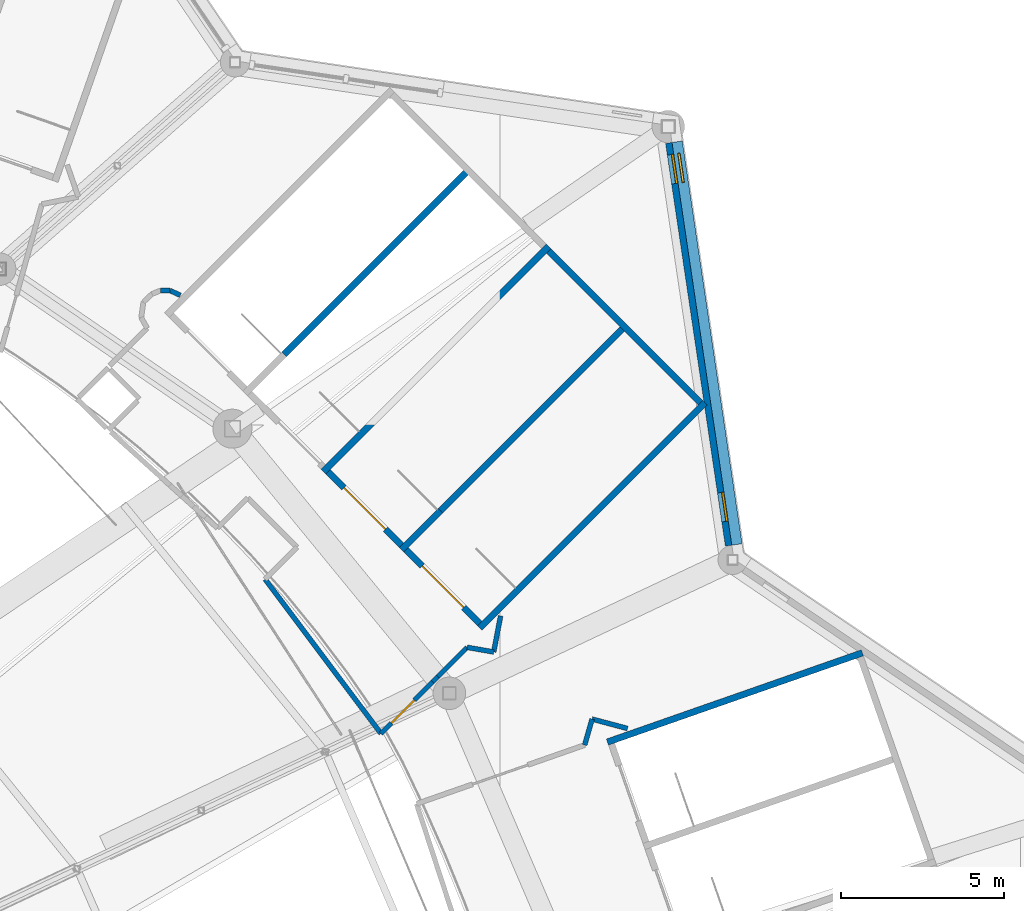
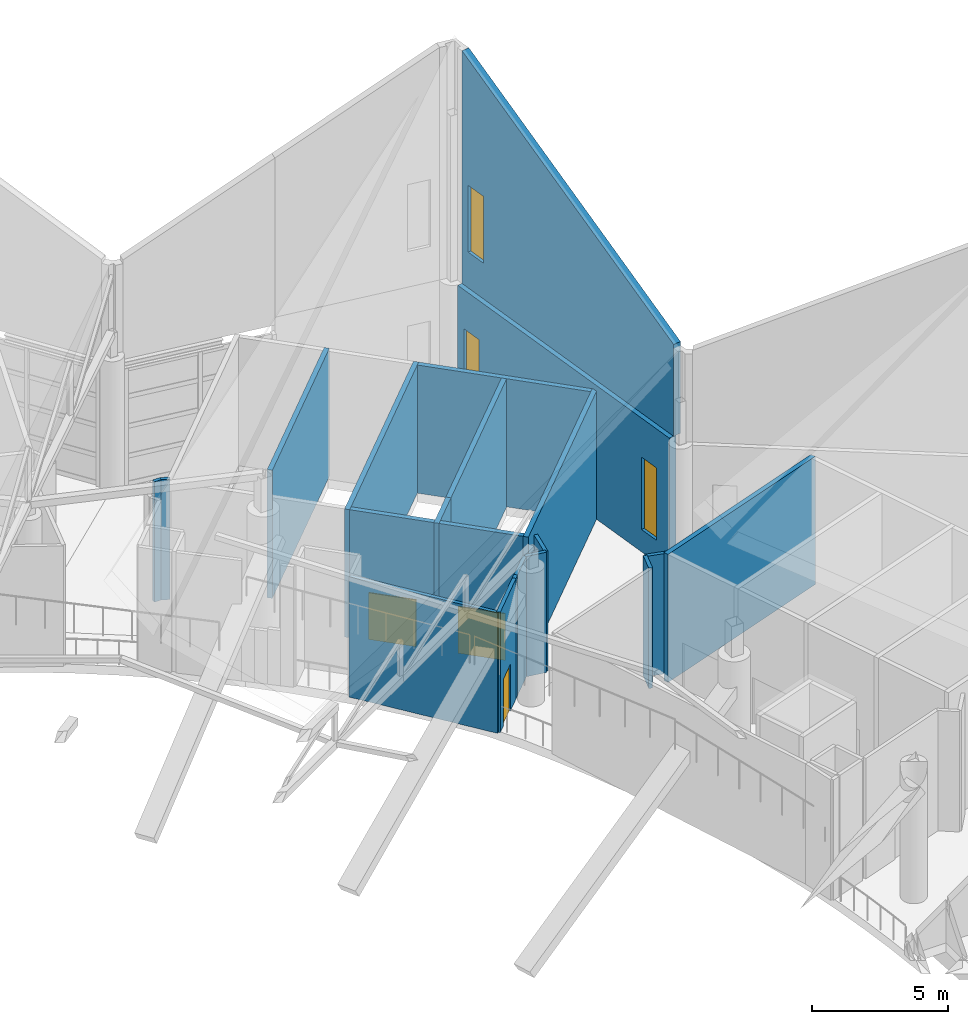
# One storey, part 271 of 344: 21 walls, 3 doors, 3 windows, 6 openings.
"""IFC4 building model written with IfcOpenShell, lengths in metres."""

from ifc_helpers import new_model, si_unit, direction, frame, frame_2d, origin, place, context, subcontext, project, spatial, polyline, rectangle, outline, extrude, material, layer, layer_set, type_object, element, fill, save


model = new_model("IFC4")

# Units and contexts
model_context = context("Model", 3, precision=1e-05, world=origin(), true_north=direction((0.0, 1.0)))
body_context = subcontext(model_context, "Body", "Model", "MODEL_VIEW")
ifc_project = project(units=[si_unit("LENGTHUNIT", "METRE"), si_unit("AREAUNIT", "SQUARE_METRE"), si_unit("VOLUMEUNIT", "CUBIC_METRE"), si_unit("PLANEANGLEUNIT", "RADIAN"), si_unit("MASSUNIT", "GRAM", prefix="KILO")], contexts=[model_context])

# Site, building, storey
site_placement = place(None, origin())
site = spatial("IfcSite", under=ifc_project, at=site_placement, CompositionType="ELEMENT")
building_placement = place(site_placement, origin())
building = spatial("IfcBuilding", under=site, at=building_placement, Name="Meseta Stadium", CompositionType="ELEMENT")
storey_placement = place(building_placement, frame((0.0, 0.0, 24.0)))
storey = spatial("IfcBuildingStorey", under=building, at=storey_placement, Name="L04", CompositionType="ELEMENT", Elevation=24.0)

# Walls
ifc_material_1 = material(Name="Concrete C40/50", Category="concrete")
ifc_layer_1 = layer(ifc_material_1, 0.199951171875)
ifc_layer_set_1 = layer_set([ifc_layer_1], Name="Core divider wall 200")
wall_type_1 = type_object("IfcWallType", Name="Core divider wall 200", PredefinedType="SHEAR", material=ifc_layer_set_1)
wall_1_placement = place(storey_placement, frame((83.90087890625, 83.092529296875, 0.0), z_axis=(0.0, 0.0, 1.0), x_axis=(-0.707106781187, -0.707106781187, 0.0)))
element("IfcWall", 1, at=wall_1_placement, inside=storey, type_object=wall_type_1, Name="Core 07 L04 stair A divider wall", PredefinedType="SHEAR", context=body_context, shape_type="SweptSolid", body=[
    extrude(rectangle(XDim=8.099853515625, YDim=0.199951171875, at=frame_2d((4.0498046875, 0.0))), origin(), (0.0, 0.0, 1.0), 5.75),
])
wall_2_placement = place(storey_placement, frame((78.17333984375, 77.364990234375, 0.0), z_axis=(0.0, 0.0, 1.0), x_axis=(-0.707178586901, -0.707034968179, 0.0)))
element("IfcWall", 2, at=wall_2_placement, inside=storey, type_object=wall_type_1, Name="Core 07 L04 stair A divider wall", PredefinedType="SHEAR", context=body_context, shape_type="SweptSolid", body=[
    extrude(rectangle(XDim=1.699951171875, YDim=0.199951171875, at=frame_2d((0.85009765625, 0.0))), origin(), (0.0, 0.0, 1.0), 5.75),
])
wall_3_placement = place(storey_placement, frame((79.092529296875, 87.90087890625, 0.0), z_axis=(0.0, 0.0, 1.0), x_axis=(-0.707106781187, -0.707106781187, 0.0)))
element("IfcWall", 3, at=wall_3_placement, inside=storey, type_object=wall_type_1, Name="Core 07 L04 stair B divider wall", PredefinedType="SHEAR", context=body_context, shape_type="SweptSolid", body=[
    extrude(rectangle(XDim=8.099853515625, YDim=0.199951171875, at=frame_2d((4.0498046875, 0.0))), origin(), (0.0, 0.0, 1.0), 5.75),
])
ifc_material_2 = material(Name="Concrete C40/50", Category="concrete")
ifc_layer_2 = layer(ifc_material_2, 0.199951171875)
ifc_layer_set_2 = layer_set([ifc_layer_2], Name="Core shaft wall 200")
wall_type_2 = type_object("IfcWallType", Name="Core shaft wall 200", PredefinedType="SHEAR", material=ifc_layer_set_2)
wall_4_placement = place(storey_placement, frame((91.136962890625, 72.998291015625, 0.0), z_axis=(0.0, 0.0, 1.0), x_axis=(-0.943887243331, -0.330267878966, 0.0)))
element("IfcWall", 4, at=wall_4_placement, inside=storey, type_object=wall_type_2, Name="Core 06 L04 stair wall B-side", PredefinedType="SHEAR", context=body_context, shape_type="SweptSolid", body=[
    extrude(rectangle(XDim=8.300048828125, YDim=0.199951171875, at=frame_2d((4.14990234375, 0.0))), origin(), (0.0, 0.0, 1.0), 5.75),
])
for number, where, z_axis, x_axis, name in (
    (5, (86.30517578125, 80.6884765625, 0.0), (0.0, 0.0, 1.0), (-0.707106781187, -0.707106781187, 0.0), "Core 07 L04 stair wall A-side"),
    (6, (81.496826171875, 85.496826171875, 0.0), (0.0, 0.0, 1.0), (-0.707106781187, -0.707106781187, 0.0), "Core 07 L04 stair wall shared"),
):
    element("IfcWall", number, at=place(storey_placement, frame(where, z_axis=z_axis, x_axis=x_axis)), inside=storey, type_object=wall_type_2, Name=name, PredefinedType="SHEAR", context=body_context, shape_type="SweptSolid", body=[
        extrude(rectangle(XDim=9.800048828125, YDim=0.199951171875, at=frame_2d((4.89990234375, 0.0))), origin(), (0.0, 0.0, 1.0), 5.75),
    ])
wall_5_placement = place(storey_placement, frame((86.163818359375, 80.6884765625, 0.0), z_axis=(0.0, 0.0, 1.0), x_axis=(-0.707125276584, 0.707088285305, 0.0)))
element("IfcWall", 7, at=wall_5_placement, inside=storey, type_object=wall_type_2, Name="Core 07 L04 stair A outer end wall", PredefinedType="SHEAR", context=body_context, shape_type="SweptSolid", body=[
    extrude(rectangle(XDim=6.599853515625, YDim=0.199951171875, at=frame_2d((3.2998046875, 0.0))), origin(), (0.0, 0.0, 1.0), 5.75),
])

# Wall, opening, door
wall_6_placement = place(storey_placement, frame((79.37548828125, 73.900146484375, 0.0), z_axis=(0.0, 0.0, 1.0), x_axis=(-0.707068634461, 0.707144925854, 0.0)))
wall_6 = element("IfcWall", 8, at=wall_6_placement, inside=storey, type_object=wall_type_2, Name="Core 07 L04 stair A1 inner end wall", PredefinedType="SHEAR", context=body_context, shape_type="SweptSolid", body=[
    extrude(rectangle(XDim=3.2001953125, YDim=0.199951171875, at=frame_2d((1.60009765625, 0.0))), origin(), (0.0, 0.0, 1.0), 5.75),
])
opening_1_placement = place(wall_6_placement, frame((0.699951171875, 0.0, 0.0)))
opening_1 = element("IfcOpeningElement", 9, at=opening_1_placement, cuts=wall_6, Name="Opening D1632", PredefinedType="OPENING", context=body_context, shape_type="SweptSolid", body=[
    extrude(rectangle(XDim=1.800048828125, YDim=2.10009765625, at=frame_2d((0.89990234375, 1.050048828125))), frame((0.0, 0.10986328125, 0.0), z_axis=(0.0, -1.0, 0.0), x_axis=(1.0, 0.0, 0.0)), (0.0, 0.0, 1.0), 0.219970703125),
])
ifc_material_3 = material(Name="Steel", Category="steel")
door_type_1 = type_object("IfcDoorType", Name="Stair door 1800x2100", OperationType="DOUBLE_DOOR_SINGLE_SWING", PredefinedType="DOOR", material=ifc_material_3)
door_1_placement = place(opening_1_placement, origin())
door_1 = element("IfcDoor", 10, at=door_1_placement, inside=storey, type_object=door_type_1, Name="Stair A1 door 07 L04", OperationType="DOUBLE_DOOR_SINGLE_SWING", OverallHeight=2.10009765625, OverallWidth=1.800048828125, PredefinedType="DOOR", context=body_context, shape_type="SweptSolid", body=[
    extrude(rectangle(XDim=1.800048828125, YDim=2.10009765625, at=frame_2d((0.89990234375, 1.050048828125))), frame((0.0, 0.02490234375, 0.0), z_axis=(0.0, -1.0, 0.0), x_axis=(1.0, 0.0, 0.0)), (0.0, 0.0, 1.0), 0.050048828125),
])
fill(opening_1, door_1)

wall_7_placement = place(storey_placement, frame((76.97119140625, 76.304443359375, 0.0), z_axis=(0.0, 0.0, 1.0), x_axis=(-0.707106781187, 0.707106781187, 0.0)))
wall_7 = element("IfcWall", 11, at=wall_7_placement, inside=storey, type_object=wall_type_2, Name="Core 07 L04 stair A2 inner end wall", PredefinedType="SHEAR", context=body_context, shape_type="SweptSolid", body=[
    extrude(rectangle(XDim=3.199951171875, YDim=0.199951171875, at=frame_2d((1.60009765625, 0.0))), origin(), (0.0, 0.0, 1.0), 5.75),
])
opening_2_placement = place(wall_7_placement, frame((0.699951171875, 0.0, 0.0)))
opening_2 = element("IfcOpeningElement", 12, at=opening_2_placement, cuts=wall_7, Name="Opening D1629", PredefinedType="OPENING", context=body_context, shape_type="SweptSolid", body=[
    extrude(rectangle(XDim=1.800048828125, YDim=2.10009765625, at=frame_2d((0.89990234375, 1.050048828125))), frame((0.0, 0.10986328125, 0.0), z_axis=(0.0, -1.0, 0.0), x_axis=(1.0, 0.0, 0.0)), (0.0, 0.0, 1.0), 0.219970703125),
])
door_2_placement = place(opening_2_placement, origin())
door_2 = element("IfcDoor", 13, at=door_2_placement, inside=storey, type_object=door_type_1, Name="Stair A2 door 07 L04", OperationType="DOUBLE_DOOR_SINGLE_SWING", OverallHeight=2.10009765625, OverallWidth=1.800048828125, PredefinedType="DOOR", context=body_context, shape_type="SweptSolid", body=[
    extrude(rectangle(XDim=1.800048828125, YDim=2.10009765625, at=frame_2d((0.89990234375, 1.050048828125))), frame((0.0, 0.02490234375, 0.0), z_axis=(0.0, -1.0, 0.0), x_axis=(1.0, 0.0, 0.0)), (0.0, 0.0, 1.0), 0.050048828125),
])
fill(opening_2, door_2)

# Walls
ifc_material_4 = material(Name="Masonry blockwork", Category="masonry")
ifc_layer_3 = layer(ifc_material_4, 0.14990234375)
ifc_layer_set_3 = layer_set([ifc_layer_3], Name="Partition 150")
wall_type_3 = type_object("IfcWallType", Name="Partition 150", PredefinedType="PARTITIONING", material=ifc_layer_set_3)
wall_8_placement = place(storey_placement, frame((83.91943359375, 70.673583984375, 0.0), z_axis=(0.0, 0.0, 1.0), x_axis=(-0.966256491935, 0.257581815726, 0.0)))
element("IfcWall", 14, at=wall_8_placement, inside=storey, type_object=wall_type_3, Name="Stair vestibule wall L04 core 06", PredefinedType="PARTITIONING", context=body_context, shape_type="SweptSolid", body=[
    extrude(rectangle(XDim=1.1279296875, YDim=0.14990234375, at=frame_2d((0.56396484375, 0.0))), origin(), (0.0, 0.0, 1.0), 5.39990234375),
])
wall_9_placement = place(storey_placement, frame((82.82958984375, 70.964111328125, 0.0), z_axis=(0.0, 0.0, 1.0), x_axis=(-0.273283276566, -0.961933599969, 0.0)))
element("IfcWall", 15, at=wall_9_placement, inside=storey, type_object=wall_type_3, Name="Stair vestibule wall L04 core 06", PredefinedType="PARTITIONING", context=body_context, shape_type="SweptSolid", body=[
    extrude(rectangle(XDim=0.829833984375, YDim=0.14990234375, at=frame_2d((0.4150390625, 0.0))), origin(), (0.0, 0.0, 1.0), 5.39990234375),
])
wall_10_placement = place(storey_placement, frame((70.176025390625, 83.988525390625, 0.0), z_axis=(0.0, 0.0, 1.0), x_axis=(-0.908360268621, 0.418188501026, 0.0)))
element("IfcWall", 16, at=wall_10_placement, inside=storey, type_object=wall_type_3, Name="Stair vestibule wall L04 core 07", PredefinedType="PARTITIONING", context=body_context, shape_type="SweptSolid", body=[
    extrude(rectangle(XDim=0.356201171875, YDim=0.14990234375, at=frame_2d((0.17822265625, 0.0))), origin(), (0.0, 0.0, 1.0), 5.39990234375),
])
wall_11_placement = place(storey_placement, frame((69.8525390625, 84.137451171875, 0.0), z_axis=(0.0, 0.0, 1.0), x_axis=(-1.0, 0.0, 0.0)))
element("IfcWall", 17, at=wall_11_placement, inside=storey, type_object=wall_type_3, Name="Stair vestibule wall L04 core 07", PredefinedType="PARTITIONING", context=body_context, shape_type="SweptSolid", body=[
    extrude(rectangle(XDim=0.284912109375, YDim=0.14990234375, at=frame_2d((0.142578125, 0.0))), origin(), (0.0, 0.0, 1.0), 5.39990234375),
])
wall_12_placement = place(storey_placement, frame((72.7802734375, 75.259765625, 0.0), z_axis=(0.0, 0.0, 1.0), x_axis=(0.600540118693, -0.799594625945, 0.0)))
element("IfcWall", 18, at=wall_12_placement, inside=storey, type_object=wall_type_3, Name="Stair vestibule wall L04 core 07", PredefinedType="PARTITIONING", context=body_context, shape_type="SweptSolid", body=[
    extrude(rectangle(XDim=5.928955078125, YDim=0.14990234375, at=frame_2d((2.96435546875, 0.0))), origin(), (0.0, 0.0, 1.0), 5.39990234375),
])

# Wall, opening, door
wall_13_placement = place(storey_placement, frame((76.3408203125, 70.51904296875, 0.0), z_axis=(0.0, 0.0, 1.0), x_axis=(0.707106781187, 0.707106781187, 0.0)))
wall_13 = element("IfcWall", 19, at=wall_13_placement, inside=storey, type_object=wall_type_3, Name="Stair vestibule wall L04 core 07", PredefinedType="PARTITIONING", context=body_context, shape_type="SweptSolid", body=[
    extrude(rectangle(XDim=2.251220703125, YDim=0.14990234375, at=frame_2d((1.12548828125, 0.0))), origin(), (0.0, 0.0, 1.0), 5.39990234375),
])
opening_3_placement = place(wall_13_placement, frame((0.449951171875, 0.0, 0.0)))
opening_3 = element("IfcOpeningElement", 20, at=opening_3_placement, cuts=wall_13, Name="Opening D1630", PredefinedType="OPENING", context=body_context, shape_type="SweptSolid", body=[
    extrude(rectangle(XDim=1.0, YDim=2.10009765625, at=frame_2d((0.5, 1.050048828125))), frame((0.0, 0.0849609375, 0.0), z_axis=(0.0, -1.0, 0.0), x_axis=(1.0, 0.0, 0.0)), (0.0, 0.0, 1.0), 0.169921875),
])
ifc_material_5 = material(Name="Steel", Category="steel")
door_type_2 = type_object("IfcDoorType", Name="Fire door 1000x2100 EI2 60", OperationType="NOTDEFINED", PredefinedType="DOOR", material=ifc_material_5)
door_3_placement = place(opening_3_placement, origin())
door_3 = element("IfcDoor", 21, at=door_3_placement, inside=storey, type_object=door_type_2, Name="Stair vestibule door L04 core 07", OperationType="SINGLE_SWING_LEFT", OverallHeight=2.10009765625, OverallWidth=1.0, PredefinedType="DOOR", context=body_context, shape_type="SweptSolid", body=[
    extrude(rectangle(XDim=1.0, YDim=2.10009765625, at=frame_2d((0.5, 1.050048828125))), frame((0.0, 0.02490234375, 0.0), z_axis=(0.0, -1.0, 0.0), x_axis=(1.0, 0.0, 0.0)), (0.0, 0.0, 1.0), 0.050048828125),
])
fill(opening_3, door_3)

# Walls
wall_14_placement = place(storey_placement, frame((78.090576171875, 72.268798828125, 0.0), z_axis=(0.0, 0.0, 1.0), x_axis=(0.707106781187, 0.707106781187, 0.0)))
element("IfcWall", 22, at=wall_14_placement, inside=storey, type_object=wall_type_3, Name="Stair vestibule wall L04 core 07", PredefinedType="PARTITIONING", context=body_context, shape_type="SweptSolid", body=[
    extrude(rectangle(XDim=1.271728515625, YDim=0.14990234375, at=frame_2d((0.6357421875, 0.0))), origin(), (0.0, 0.0, 1.0), 5.39990234375),
])
wall_15_placement = place(storey_placement, frame((78.98974609375, 73.16796875, 0.0), z_axis=(0.0, 0.0, 1.0), x_axis=(0.985216075357, -0.171316329805, 0.0)))
element("IfcWall", 23, at=wall_15_placement, inside=storey, type_object=wall_type_3, Name="Stair vestibule wall L04 core 07", PredefinedType="PARTITIONING", context=body_context, shape_type="SweptSolid", body=[
    extrude(rectangle(XDim=0.829345703125, YDim=0.14990234375, at=frame_2d((0.41455078125, 0.0))), origin(), (0.0, 0.0, 1.0), 5.39990234375),
])
wall_16_placement = place(storey_placement, frame((79.806884765625, 73.02587890625, 0.0), z_axis=(0.0, 0.0, 1.0), x_axis=(0.187490142289, 0.982266484486, 0.0)))
element("IfcWall", 24, at=wall_16_placement, inside=storey, type_object=wall_type_3, Name="Stair vestibule wall L04 core 07", PredefinedType="PARTITIONING", context=body_context, shape_type="SweptSolid", body=[
    extrude(rectangle(XDim=1.127685546875, YDim=0.14990234375, at=frame_2d((0.56396484375, 0.0))), origin(), (0.0, 0.0, 1.0), 5.39990234375),
])
wall_17_placement = place(storey_placement, frame((77.9326171875, 72.11083984375, 0.0), z_axis=(0.0, 0.0, 1.0), x_axis=(0.707106781187, 0.707106781187, 0.0)))
element("IfcWall", 25, at=wall_17_placement, inside=storey, type_object=wall_type_3, Name="Stair vestibule wall L04 core 07", PredefinedType="PARTITIONING", context=body_context, shape_type="SweptSolid", body=[
    extrude(rectangle(XDim=0.223388671875, YDim=0.14990234375, at=frame_2d((0.11181640625, 0.0))), origin(), (0.0, 0.0, 1.0), 5.39990234375),
])

# Wall, opening, window
ifc_material_6 = material(Name="White precast concrete C40/50", Category="concrete")
ifc_layer_4 = layer(ifc_material_6, 0.320068359375)
ifc_layer_set_4 = layer_set([ifc_layer_4], Name="Pleated fascia panel 320 raked")
wall_type_4 = type_object("IfcWallType", Name="Pleated fascia panel 320 raked", PredefinedType="SOLIDWALL", material=ifc_layer_set_4)
wall_18_placement = place(storey_placement, frame((85.44482421875, 88.708984375, 6.0), z_axis=(0.0, 0.0, 1.0), x_axis=(0.146868244204, -0.989156063948, 0.0)))
wall_18 = element("IfcWall", 26, at=wall_18_placement, inside=storey, type_object=wall_type_4, Name="Pleated fascia panel L04 F11", PredefinedType="SOLIDWALL", context=body_context, shape_type="SweptSolid", body=[
    extrude(outline(polyline([(0.0, 0.0), (12.513916015625, 0.0), (12.51416015625, 4.116943359375), (0.0, 10.437744140625), (0.0, 0.0)])), frame((0.0, 0.16015625, 0.0), z_axis=(0.0, -1.0, 0.0), x_axis=(1.0, 0.0, 0.0)), (0.0, 0.0, 1.0), 0.320068359375),
])
opening_4_placement = place(wall_18_placement, frame((0.363525390625, 0.0, 1.60009765625)))
opening_4 = element("IfcOpeningElement", 27, at=opening_4_placement, cuts=wall_18, Name="Opening W294", PredefinedType="OPENING", context=body_context, shape_type="SweptSolid", body=[
    extrude(rectangle(XDim=0.89990234375, YDim=3.0, at=frame_2d((0.449951171875, 1.5))), frame((0.0, 0.169921875, 0.0), z_axis=(0.0, -1.0, 0.0), x_axis=(1.0, 0.0, 0.0)), (0.0, 0.0, 1.0), 0.340087890625),
])
ifc_material_7 = material(Name="Aluminium", Category="aluminium")
window_type_1 = type_object("IfcWindowType", Name="Slot window 900x3000", PartitioningType="SINGLE_PANEL", PredefinedType="WINDOW", material=ifc_material_7)
window_1_placement = place(opening_4_placement, origin())
window_1 = element("IfcWindow", 28, at=window_1_placement, inside=storey, type_object=window_type_1, Name="Slot window L04 F11.6", OverallHeight=3.0, OverallWidth=0.89990234375, PartitioningType="SINGLE_PANEL", PredefinedType="WINDOW", context=body_context, shape_type="SweptSolid", body=[
    extrude(rectangle(XDim=0.89990234375, YDim=3.0, at=frame_2d((0.449951171875, 1.5))), frame((0.0, 0.030029296875, 0.0), z_axis=(0.0, -1.0, 0.0), x_axis=(1.0, 0.0, 0.0)), (0.0, 0.0, 1.0), 0.06005859375),
])
fill(opening_4, window_1)

# Wall, openings, windows
ifc_material_8 = material(Name="White precast concrete C40/50", Category="concrete")
ifc_layer_5 = layer(ifc_material_8, 0.320068359375)
ifc_layer_set_5 = layer_set([ifc_layer_5], Name="Pleated panel wall 320")
wall_type_5 = type_object("IfcWallType", Name="Pleated panel wall 320", PredefinedType="SOLIDWALL", material=ifc_layer_set_5)
wall_19_placement = place(storey_placement, frame((85.2470703125, 88.6796875, 0.0), z_axis=(0.0, 0.0, 1.0), x_axis=(0.14684632149, -0.989159318747, 0.0)))
wall_19 = element("IfcWall", 29, at=wall_19_placement, inside=storey, type_object=wall_type_5, Name="Pleated facade panel L04 F11", PredefinedType="SOLIDWALL", context=body_context, shape_type="SweptSolid", body=[
    extrude(rectangle(XDim=12.51416015625, YDim=0.320068359375, at=frame_2d((6.257080078125, 0.0))), origin(), (0.0, 0.0, 1.0), 6.0),
])
opening_5_placement = place(wall_19_placement, frame((10.863525390625, 0.0, 1.0)))
opening_5 = element("IfcOpeningElement", 30, at=opening_5_placement, cuts=wall_19, Name="Opening W295", PredefinedType="OPENING", context=body_context, shape_type="SweptSolid", body=[
    extrude(rectangle(XDim=0.89990234375, YDim=3.25, at=frame_2d((0.449951171875, 1.625))), frame((0.0, 0.169921875, 0.0), z_axis=(0.0, -1.0, 0.0), x_axis=(1.0, 0.0, 0.0)), (0.0, 0.0, 1.0), 0.340087890625),
])
opening_6_placement = place(wall_19_placement, frame((0.363525390625, 0.0, 1.0)))
opening_6 = element("IfcOpeningElement", 31, at=opening_6_placement, cuts=wall_19, Name="Opening W293", PredefinedType="OPENING", context=body_context, shape_type="SweptSolid", body=[
    extrude(rectangle(XDim=0.89990234375, YDim=3.25, at=frame_2d((0.449951171875, 1.625))), frame((0.0, 0.169921875, 0.0), z_axis=(0.0, -1.0, 0.0), x_axis=(1.0, 0.0, 0.0)), (0.0, 0.0, 1.0), 0.340087890625),
])
ifc_material_9 = material(Name="Aluminium", Category="aluminium")
window_type_2 = type_object("IfcWindowType", Name="Slot window 900x3250", PartitioningType="SINGLE_PANEL", PredefinedType="WINDOW", material=ifc_material_9)
window_2_placement = place(opening_5_placement, origin())
window_2 = element("IfcWindow", 32, at=window_2_placement, inside=storey, type_object=window_type_2, Name="Slot window L04 F11.1", OverallHeight=3.25, OverallWidth=0.89990234375, PartitioningType="SINGLE_PANEL", PredefinedType="WINDOW", context=body_context, shape_type="SweptSolid", body=[
    extrude(rectangle(XDim=0.89990234375, YDim=3.25, at=frame_2d((0.449951171875, 1.625))), frame((0.0, 0.030029296875, 0.0), z_axis=(0.0, -1.0, 0.0), x_axis=(1.0, 0.0, 0.0)), (0.0, 0.0, 1.0), 0.06005859375),
])
fill(opening_5, window_2)
window_3_placement = place(opening_6_placement, origin())
window_3 = element("IfcWindow", 33, at=window_3_placement, inside=storey, type_object=window_type_2, Name="Slot window L04 F11.6", OverallHeight=3.25, OverallWidth=0.89990234375, PartitioningType="SINGLE_PANEL", PredefinedType="WINDOW", context=body_context, shape_type="SweptSolid", body=[
    extrude(rectangle(XDim=0.89990234375, YDim=3.25, at=frame_2d((0.449951171875, 1.625))), frame((0.0, 0.030029296875, 0.0), z_axis=(0.0, -1.0, 0.0), x_axis=(1.0, 0.0, 0.0)), (0.0, 0.0, 1.0), 0.06005859375),
])
fill(opening_6, window_3)

save(model, "model.ifc")
